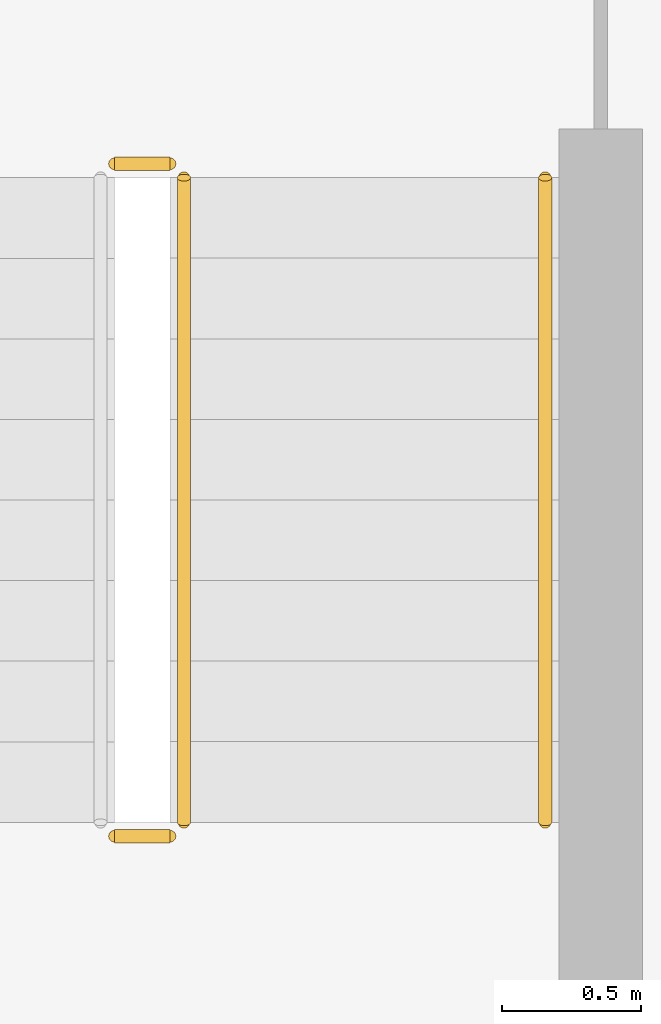
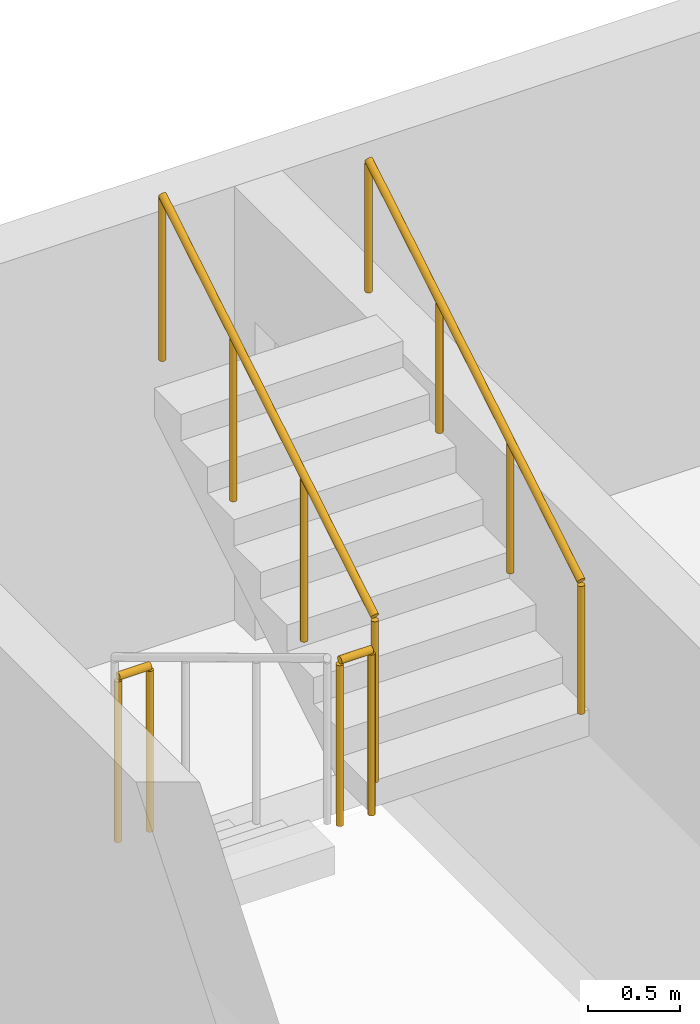
# One storey, part 44 of 51: 4 railings.
"""IFC4 building model written with IfcOpenShell, lengths in metres."""

from ifc_helpers import new_model, si_unit, derived_unit, direction, frame, origin, origin_2d, place, context, subcontext, project, spatial, circle, extrude, material, type_object, element, save


model = new_model("IFC4")

# Units and contexts
model_context = context("Model", 3, precision=1e-05, world=origin(), true_north=direction((0.0, 1.0)))
body_context = subcontext(model_context, "Body", "Model", "MODEL_VIEW")
ifc_project = project(units=[si_unit("LENGTHUNIT", "METRE"), si_unit("AREAUNIT", "SQUARE_METRE"), si_unit("VOLUMEUNIT", "CUBIC_METRE"), si_unit("PLANEANGLEUNIT", "RADIAN"), si_unit("MASSUNIT", "GRAM", prefix="KILO"), derived_unit("THERMALTRANSMITTANCEUNIT", [(si_unit("MASSUNIT", "GRAM", prefix="KILO"), 1), (si_unit("TIMEUNIT", "SECOND"), -3), (si_unit("THERMODYNAMICTEMPERATUREUNIT", "KELVIN"), -1)])], contexts=[model_context])

# Site, building, storey
site_placement = place(None, origin())
site = spatial("IfcSite", under=ifc_project, at=site_placement, CompositionType="ELEMENT")
building_placement = place(site_placement, origin())
building = spatial("IfcBuilding", under=site, at=building_placement, Name="Ochrekiln Boulevard Commons", CompositionType="ELEMENT")
storey_placement = place(building_placement, frame((0.0, 0.0, 18.375)))
storey = spatial("IfcBuildingStorey", under=building, at=storey_placement, Name="L05", CompositionType="ELEMENT", Elevation=18.375)

# Railings
ifc_material = material(Name="Brushed stainless steel 316 tubular railing", Category="steel")
railing_type_1 = type_object("IfcRailingType", Name="RLG-HDR-900", PredefinedType="HANDRAIL", material=ifc_material)
railing_1_placement = place(storey_placement, frame((9.35009765625, 114.610107421875, 1.75)))
element("IfcRailing", 1, at=railing_1_placement, inside=storey, type_object=railing_type_1, Name="L05 ST-A2 stair handrail 2", PredefinedType="HANDRAIL", context=body_context, shape_type="SweptSolid", body=[
    extrude(circle(Radius=0.02392578125, at=origin_2d()), frame((0.0, 0.0, 0.8759765625), z_axis=(0.0, 0.856186286599, 0.516667245565), x_axis=(-1.0, 0.0, 0.0)), (0.0, 0.0, 1.0), 2.70947265625),
    extrude(circle(Radius=0.02099609375, at=origin_2d()), origin(), (0.0, 0.0, 1.0), 0.851806640625),
    extrude(circle(Radius=0.02099609375, at=origin_2d()), frame((0.0, 0.773193359375, 0.466552734375)), (0.0, 0.0, 1.0), 0.851806640625),
    extrude(circle(Radius=0.02099609375, at=origin_2d()), frame((0.0, 1.546630859375, 0.933349609375)), (0.0, 0.0, 1.0), 0.851806640625),
    extrude(circle(Radius=0.02099609375, at=origin_2d()), frame((0.0, 2.31982421875, 1.39990234375)), (0.0, 0.0, 1.0), 0.851806640625),
])
railing_type_2 = type_object("IfcRailingType", Name="RLG-STR-1120", PredefinedType="BALUSTRADE", material=ifc_material)
railing_2_placement = place(storey_placement, frame((7.800048828125, 114.56005859375, 1.574951171875)))
element("IfcRailing", 2, at=railing_2_placement, inside=storey, type_object=railing_type_2, Name="L05 ST-A2 stair guard 2", PredefinedType="BALUSTRADE", context=body_context, shape_type="SweptSolid", body=[
    extrude(circle(Radius=0.02392578125, at=origin_2d()), frame((0.0, 0.0, 1.09619140625), z_axis=(1.0, 0.0, 0.0), x_axis=(0.0, 1.0, 0.0)), (0.0, 0.0, 1.0), 0.199951171875),
    extrude(circle(Radius=0.02099609375, at=origin_2d()), origin(), (0.0, 0.0, 1.0), 1.072021484375),
    extrude(circle(Radius=0.02099609375, at=origin_2d()), frame((0.199951171875, 0.0, 0.0)), (0.0, 0.0, 1.0), 1.072021484375),
])
railing_3_placement = place(storey_placement, frame((8.050048828125, 114.610107421875, 1.75)))
element("IfcRailing", 3, at=railing_3_placement, inside=storey, type_object=railing_type_2, Name="L05 ST-A2 stair guard 3", PredefinedType="BALUSTRADE", context=body_context, shape_type="SweptSolid", body=[
    extrude(circle(Radius=0.02392578125, at=origin_2d()), frame((0.0, 0.0, 1.09619140625), z_axis=(0.0, 0.856186286599, 0.516667245565), x_axis=(-1.0, 0.0, 0.0)), (0.0, 0.0, 1.0), 2.70947265625),
    extrude(circle(Radius=0.02099609375, at=origin_2d()), origin(), (0.0, 0.0, 1.0), 1.072021484375),
    extrude(circle(Radius=0.02099609375, at=origin_2d()), frame((0.0, 0.773193359375, 0.466552734375)), (0.0, 0.0, 1.0), 1.072021484375),
    extrude(circle(Radius=0.02099609375, at=origin_2d()), frame((0.0, 1.546630859375, 0.933349609375)), (0.0, 0.0, 1.0), 1.072021484375),
    extrude(circle(Radius=0.02099609375, at=origin_2d()), frame((0.0, 2.31982421875, 1.39990234375)), (0.0, 0.0, 1.0), 1.072021484375),
])
railing_4_placement = place(storey_placement, frame((7.800048828125, 116.97998046875, 0.0)))
element("IfcRailing", 4, at=railing_4_placement, inside=storey, type_object=railing_type_2, Name="L05 ST-A2 stair guard 4", PredefinedType="BALUSTRADE", context=body_context, shape_type="SweptSolid", body=[
    extrude(circle(Radius=0.02392578125, at=origin_2d()), frame((0.0, 0.0, 1.09619140625), z_axis=(1.0, 0.0, 0.0), x_axis=(0.0, 1.0, 0.0)), (0.0, 0.0, 1.0), 0.199951171875),
    extrude(circle(Radius=0.02099609375, at=origin_2d()), origin(), (0.0, 0.0, 1.0), 1.072021484375),
    extrude(circle(Radius=0.02099609375, at=origin_2d()), frame((0.199951171875, 0.0, 0.0)), (0.0, 0.0, 1.0), 1.072021484375),
])

save(model, "model.ifc")
